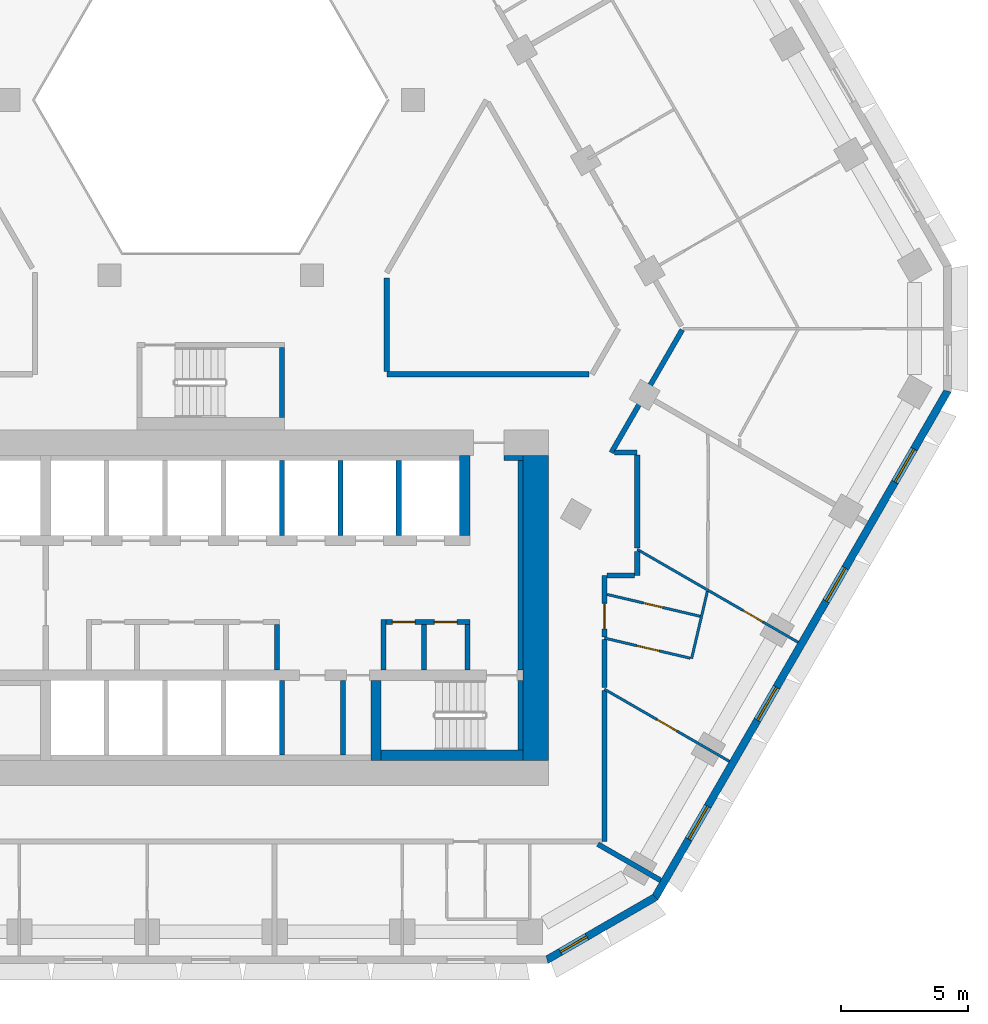
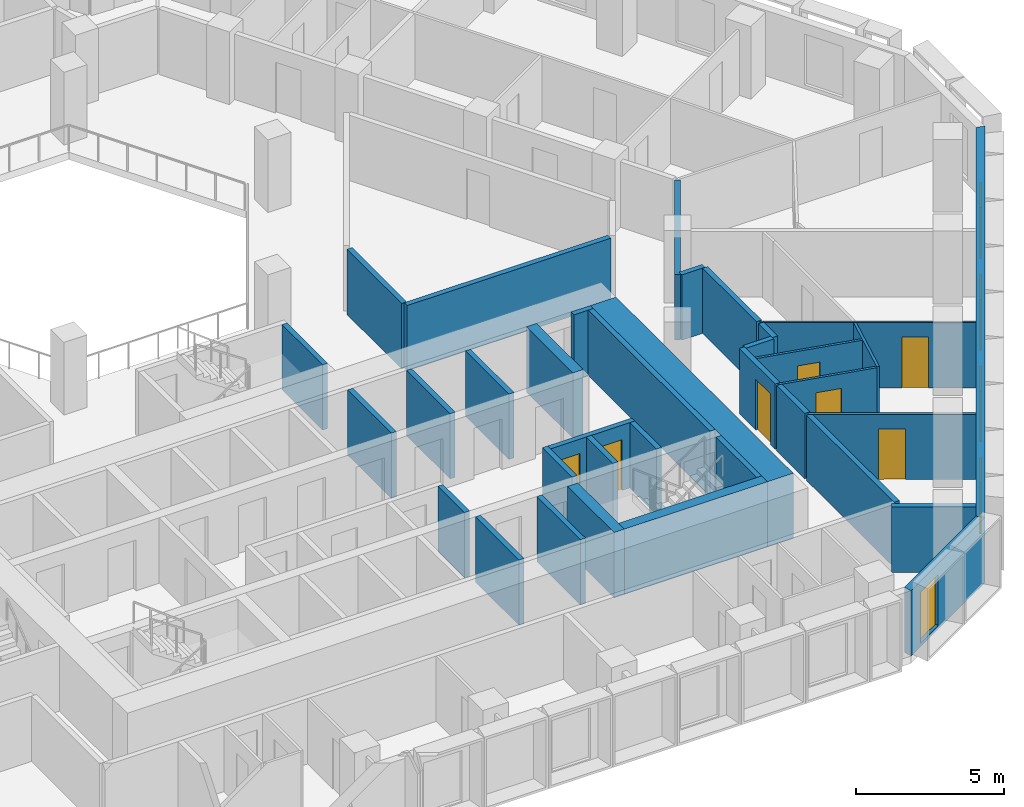
# One storey, part 6 of 16: 36 walls, 7 doors, 5 windows, 12 openings.
"""IFC4 building model written with IfcOpenShell, lengths in metres."""

from ifc_helpers import new_model, si_unit, direction, frame, frame_2d, origin, place, context, subcontext, project, spatial, polyline, rectangle, outline, extrude, material, layer, layer_set, type_object, element, fill, save


model = new_model("IFC4")

# Units and contexts
model_context = context("Model", 3, precision=1e-05, world=origin(), true_north=direction((0.0, 1.0)))
body_context = subcontext(model_context, "Body", "Model", "MODEL_VIEW")
ifc_project = project(units=[si_unit("LENGTHUNIT", "METRE"), si_unit("AREAUNIT", "SQUARE_METRE"), si_unit("VOLUMEUNIT", "CUBIC_METRE"), si_unit("PLANEANGLEUNIT", "RADIAN"), si_unit("MASSUNIT", "GRAM", prefix="KILO")], contexts=[model_context])

# Site, building, storey
site_placement = place(None, origin())
site = spatial("IfcSite", under=ifc_project, at=site_placement, CompositionType="ELEMENT")
building_placement = place(site_placement, origin())
building = spatial("IfcBuilding", under=site, at=building_placement, Name="Beryl Residences", CompositionType="ELEMENT")
storey_placement = place(building_placement, frame((0.0, 0.0, 96.0)))
storey = spatial("IfcBuildingStorey", under=building, at=storey_placement, Name="L29", CompositionType="ELEMENT", Elevation=96.0)

# Wall, opening, window
ifc_material_1 = material(Name="Composite metal panel with mineral wool insulation")
ifc_layer_1 = layer(ifc_material_1, 0.300048828125)
ifc_layer_set_1 = layer_set([ifc_layer_1], Name="ES1 pale metal composite panel wall 300 mm")
wall_type_1 = type_object("IfcWallType", Name="ES1 pale metal composite panel wall 300 mm", PredefinedType="SOLIDWALL", material=ifc_layer_set_1)
wall_1_placement = place(storey_placement, frame((13.2041015625, -25.8701171875, 0.0), z_axis=(0.0, 0.0, 1.0), x_axis=(0.866010750942, 0.50002537861, 0.0)))
wall_1 = element("IfcWall", 1, at=wall_1_placement, inside=storey, type_object=wall_type_1, Name="ES1 external wall L29 S-SE", PredefinedType="SOLIDWALL", context=body_context, shape_type="SweptSolid", body=[
    extrude(outline(polyline([(0.0, -0.14990234375), (4.999755859375, -0.14990234375), (4.91943359375, 0.14990234375), (0.080322265625, 0.14990234375), (0.0, -0.14990234375)])), origin(), (0.0, 0.0, 1.0), 2.699951171875),
])
opening_1_placement = place(wall_1_placement, frame((0.64990234375, 0.0, 0.14990234375)))
opening_1 = element("IfcOpeningElement", 2, at=opening_1_placement, cuts=wall_1, Name="Opening W2", PredefinedType="OPENING", context=body_context, shape_type="SweptSolid", body=[
    extrude(rectangle(XDim=1.199951171875, YDim=2.10009765625, at=frame_2d((0.60009765625, 1.050048828125))), frame((0.0, 0.159912109375, 0.0), z_axis=(0.0, -1.0, 0.0), x_axis=(1.0, 0.0, 0.0)), (0.0, 0.0, 1.0), 0.320068359375),
])
ifc_material_2 = material(Name="Aluminium and clear glass", Category="aluminium")
window_type_1 = type_object("IfcWindowType", Name="W2 chamfer window 1200 x 2100 mm", PartitioningType="SINGLE_PANEL", PredefinedType="WINDOW", material=ifc_material_2)
window_1_placement = place(opening_1_placement, origin())
window_1 = element("IfcWindow", 3, at=window_1_placement, inside=storey, type_object=window_type_1, Name="W2 window L29 S-SE 1", OverallHeight=2.10009765625, OverallWidth=1.199951171875, PartitioningType="SINGLE_PANEL", PredefinedType="WINDOW", context=body_context, shape_type="SweptSolid", body=[
    extrude(rectangle(XDim=1.199951171875, YDim=2.10009765625, at=frame_2d((0.60009765625, 1.050048828125))), frame((0.0, 0.030029296875, 0.0), z_axis=(0.0, -1.0, 0.0), x_axis=(1.0, 0.0, 0.0)), (0.0, 0.0, 1.0), 0.06005859375),
])
fill(opening_1, window_1)

# Wall, openings, windows
wall_2_placement = place(storey_placement, frame((17.47900390625, -23.425048828125, 0.0), z_axis=(0.0, 0.0, 1.0), x_axis=(0.500035407905, 0.866004960056, 0.0)))
wall_2 = element("IfcWall", 4, at=wall_2_placement, inside=storey, type_object=wall_type_1, Name="ES1 external wall L29 SE", PredefinedType="SOLIDWALL", context=body_context, shape_type="SweptSolid", body=[
    extrude(outline(polyline([(0.0, -0.14990234375), (23.094482421875, -0.14990234375), (23.01416015625, 0.14990234375), (0.080322265625, 0.14990234375), (0.0, -0.14990234375)])), origin(), (0.0, 0.0, 1.0), 2.699951171875),
])
opening_2_placement = place(wall_2_placement, frame((2.677001953125, 0.0, 0.14990234375)))
opening_2 = element("IfcOpeningElement", 5, at=opening_2_placement, cuts=wall_2, Name="Opening W1", PredefinedType="OPENING", context=body_context, shape_type="SweptSolid", body=[
    extrude(rectangle(XDim=1.5, YDim=2.10009765625, at=frame_2d((0.75, 1.050048828125))), frame((0.0, 0.159912109375, 0.0), z_axis=(0.0, -1.0, 0.0), x_axis=(1.0, 0.0, 0.0)), (0.0, 0.0, 1.0), 0.320068359375),
])
opening_3_placement = place(wall_2_placement, frame((8.091064453125, 0.0, 0.14990234375)))
opening_3 = element("IfcOpeningElement", 6, at=opening_3_placement, cuts=wall_2, Name="Opening W1", PredefinedType="OPENING", context=body_context, shape_type="SweptSolid", body=[
    extrude(rectangle(XDim=1.5, YDim=2.10009765625, at=frame_2d((0.75, 1.050048828125))), frame((0.0, 0.159912109375, 0.0), z_axis=(0.0, -1.0, 0.0), x_axis=(1.0, 0.0, 0.0)), (0.0, 0.0, 1.0), 0.320068359375),
])
opening_4_placement = place(wall_2_placement, frame((13.50390625, 0.0, 0.14990234375)))
opening_4 = element("IfcOpeningElement", 7, at=opening_4_placement, cuts=wall_2, Name="Opening W1", PredefinedType="OPENING", context=body_context, shape_type="SweptSolid", body=[
    extrude(rectangle(XDim=1.5, YDim=2.10009765625, at=frame_2d((0.75, 1.050048828125))), frame((0.0, 0.159912109375, 0.0), z_axis=(0.0, -1.0, 0.0), x_axis=(1.0, 0.0, 0.0)), (0.0, 0.0, 1.0), 0.320068359375),
])
opening_5_placement = place(wall_2_placement, frame((18.9169921875, 0.0, 0.14990234375)))
opening_5 = element("IfcOpeningElement", 8, at=opening_5_placement, cuts=wall_2, Name="Opening W1", PredefinedType="OPENING", context=body_context, shape_type="SweptSolid", body=[
    extrude(rectangle(XDim=1.5, YDim=2.10009765625, at=frame_2d((0.75, 1.050048828125))), frame((0.0, 0.159912109375, 0.0), z_axis=(0.0, -1.0, 0.0), x_axis=(1.0, 0.0, 0.0)), (0.0, 0.0, 1.0), 0.320068359375),
])
ifc_material_3 = material(Name="Aluminium and clear glass", Category="aluminium")
window_type_2 = type_object("IfcWindowType", Name="W1 cell window 1500 x 2100 mm", PartitioningType="SINGLE_PANEL", PredefinedType="WINDOW", material=ifc_material_3)
window_2_placement = place(opening_2_placement, origin())
window_2 = element("IfcWindow", 9, at=window_2_placement, inside=storey, type_object=window_type_2, Name="W1 window L29 SE 2", OverallHeight=2.10009765625, OverallWidth=1.5, PartitioningType="SINGLE_PANEL", PredefinedType="WINDOW", context=body_context, shape_type="SweptSolid", body=[
    extrude(rectangle(XDim=1.5, YDim=2.10009765625, at=frame_2d((0.75, 1.050048828125))), frame((0.0, 0.030029296875, 0.0), z_axis=(0.0, -1.0, 0.0), x_axis=(1.0, 0.0, 0.0)), (0.0, 0.0, 1.0), 0.06005859375),
])
fill(opening_2, window_2)
window_3_placement = place(opening_3_placement, origin())
window_3 = element("IfcWindow", 10, at=window_3_placement, inside=storey, type_object=window_type_2, Name="W1 window L29 SE 4", OverallHeight=2.10009765625, OverallWidth=1.5, PartitioningType="SINGLE_PANEL", PredefinedType="WINDOW", context=body_context, shape_type="SweptSolid", body=[
    extrude(rectangle(XDim=1.5, YDim=2.10009765625, at=frame_2d((0.75, 1.050048828125))), frame((0.0, 0.030029296875, 0.0), z_axis=(0.0, -1.0, 0.0), x_axis=(1.0, 0.0, 0.0)), (0.0, 0.0, 1.0), 0.06005859375),
])
fill(opening_3, window_3)
window_4_placement = place(opening_4_placement, origin())
window_4 = element("IfcWindow", 11, at=window_4_placement, inside=storey, type_object=window_type_2, Name="W1 window L29 SE 6", OverallHeight=2.10009765625, OverallWidth=1.5, PartitioningType="SINGLE_PANEL", PredefinedType="WINDOW", context=body_context, shape_type="SweptSolid", body=[
    extrude(rectangle(XDim=1.5, YDim=2.10009765625, at=frame_2d((0.75, 1.050048828125))), frame((0.0, 0.030029296875, 0.0), z_axis=(0.0, -1.0, 0.0), x_axis=(1.0, 0.0, 0.0)), (0.0, 0.0, 1.0), 0.06005859375),
])
fill(opening_4, window_4)
window_5_placement = place(opening_5_placement, origin())
window_5 = element("IfcWindow", 12, at=window_5_placement, inside=storey, type_object=window_type_2, Name="W1 window L29 SE 8", OverallHeight=2.10009765625, OverallWidth=1.5, PartitioningType="SINGLE_PANEL", PredefinedType="WINDOW", context=body_context, shape_type="SweptSolid", body=[
    extrude(rectangle(XDim=1.5, YDim=2.10009765625, at=frame_2d((0.75, 1.050048828125))), frame((0.0, 0.030029296875, 0.0), z_axis=(0.0, -1.0, 0.0), x_axis=(1.0, 0.0, 0.0)), (0.0, 0.0, 1.0), 0.06005859375),
])
fill(opening_5, window_5)

# Wall, opening, door
ifc_material_4 = material(Name="Gypsum board partition on steel studs", Category="steel")
ifc_layer_2 = layer(ifc_material_4, 0.10009765625)
ifc_layer_set_2 = layer_set([ifc_layer_2], Name="PT1 partition 100 mm gypsum board on steel studs")
wall_type_2 = type_object("IfcWallType", Name="PT1 partition 100 mm gypsum board on steel studs", PredefinedType="PARTITIONING", material=ifc_layer_set_2)
wall_3_placement = place(storey_placement, frame((15.60009765625, -11.468017578125, 0.0), z_axis=(0.0, 0.0, 1.0), x_axis=(0.973574036597, -0.228371616592, 0.0)))
wall_3 = element("IfcWall", 13, at=wall_3_placement, inside=storey, type_object=wall_type_2, Name="Wall PT1 L29 012", PredefinedType="PARTITIONING", context=body_context, shape_type="SweptSolid", body=[
    extrude(rectangle(XDim=3.7705078125, YDim=0.10009765625, at=frame_2d((1.88525390625, 0.0))), origin(), (0.0, 0.0, 1.0), 2.699951171875),
])
opening_6_placement = place(wall_3_placement, frame((1.458984375, 0.0, 0.0)))
opening_6 = element("IfcOpeningElement", 14, at=opening_6_placement, cuts=wall_3, Name="Opening D0911", PredefinedType="OPENING", context=body_context, shape_type="SweptSolid", body=[
    extrude(rectangle(XDim=0.800048828125, YDim=2.10009765625, at=frame_2d((0.39990234375, 1.050048828125))), frame((0.0, 0.06005859375, 0.0), z_axis=(0.0, -1.0, 0.0), x_axis=(1.0, 0.0, 0.0)), (0.0, 0.0, 1.0), 0.1201171875),
])
ifc_material_5 = material(Name="Timber door leaf", Category="wood")
door_type_1 = type_object("IfcDoorType", Name="D3 bathroom door 800 x 2100 mm", OperationType="SINGLE_SWING_LEFT", PredefinedType="DOOR", material=ifc_material_5)
door_1_placement = place(opening_6_placement, origin())
door_1 = element("IfcDoor", 15, at=door_1_placement, inside=storey, type_object=door_type_1, Name="Door D0911 L29 001", OperationType="SINGLE_SWING_LEFT", OverallHeight=2.10009765625, OverallWidth=0.800048828125, PredefinedType="DOOR", context=body_context, shape_type="SweptSolid", body=[
    extrude(rectangle(XDim=0.800048828125, YDim=2.10009765625, at=frame_2d((0.39990234375, 1.050048828125))), frame((0.0, 0.02490234375, 0.0), z_axis=(0.0, -1.0, 0.0), x_axis=(1.0, 0.0, 0.0)), (0.0, 0.0, 1.0), 0.050048828125),
])
fill(opening_6, door_1)

wall_4_placement = place(storey_placement, frame((15.5, -13.18701171875, 0.0), z_axis=(0.0, 0.0, 1.0), x_axis=(0.973612163993, -0.228209014119, 0.0)))
wall_4 = element("IfcWall", 16, at=wall_4_placement, inside=storey, type_object=wall_type_2, Name="Wall PT1 L29 013", PredefinedType="PARTITIONING", context=body_context, shape_type="SweptSolid", body=[
    extrude(rectangle(XDim=3.474853515625, YDim=0.10009765625, at=frame_2d((1.7373046875, 0.0))), origin(), (0.0, 0.0, 1.0), 2.699951171875),
])
opening_7_placement = place(wall_4_placement, frame((1.31298828125, 0.0, 0.0)))
opening_7 = element("IfcOpeningElement", 17, at=opening_7_placement, cuts=wall_4, Name="Opening D0912", PredefinedType="OPENING", context=body_context, shape_type="SweptSolid", body=[
    extrude(rectangle(XDim=0.89990234375, YDim=2.10009765625, at=frame_2d((0.449951171875, 1.050048828125))), frame((0.0, 0.06005859375, 0.0), z_axis=(0.0, -1.0, 0.0), x_axis=(1.0, 0.0, 0.0)), (0.0, 0.0, 1.0), 0.1201171875),
])
ifc_material_6 = material(Name="Timber door leaf", Category="wood")
door_type_2 = type_object("IfcDoorType", Name="D2 room door 900 x 2100 mm", OperationType="SINGLE_SWING_LEFT", PredefinedType="DOOR", material=ifc_material_6)
door_2_placement = place(opening_7_placement, origin())
door_2 = element("IfcDoor", 18, at=door_2_placement, inside=storey, type_object=door_type_2, Name="Door D0912 L29 001", OperationType="SINGLE_SWING_RIGHT", OverallHeight=2.10009765625, OverallWidth=0.89990234375, PredefinedType="DOOR", context=body_context, shape_type="SweptSolid", body=[
    extrude(rectangle(XDim=0.89990234375, YDim=2.10009765625, at=frame_2d((0.449951171875, 1.050048828125))), frame((0.0, 0.02490234375, 0.0), z_axis=(0.0, -1.0, 0.0), x_axis=(1.0, 0.0, 0.0)), (0.0, 0.0, 1.0), 0.050048828125),
])
fill(opening_7, door_2)

wall_5_placement = place(storey_placement, frame((15.5, -15.199951171875, 0.0), z_axis=(0.0, 0.0, 1.0), x_axis=(0.866035181374, -0.499983064336, 0.0)))
wall_5 = element("IfcWall", 19, at=wall_5_placement, inside=storey, type_object=wall_type_2, Name="Wall PT1 L29 017", PredefinedType="PARTITIONING", context=body_context, shape_type="SweptSolid", body=[
    extrude(rectangle(XDim=5.676513671875, YDim=0.10009765625, at=frame_2d((2.83837890625, 0.0))), origin(), (0.0, 0.0, 1.0), 2.699951171875),
])
opening_8_placement = place(wall_5_placement, frame((2.387939453125, 0.0, 0.0)))
opening_8 = element("IfcOpeningElement", 20, at=opening_8_placement, cuts=wall_5, Name="Opening D0913", PredefinedType="OPENING", context=body_context, shape_type="SweptSolid", body=[
    extrude(rectangle(XDim=0.89990234375, YDim=2.10009765625, at=frame_2d((0.449951171875, 1.050048828125))), frame((0.0, 0.06005859375, 0.0), z_axis=(0.0, -1.0, 0.0), x_axis=(1.0, 0.0, 0.0)), (0.0, 0.0, 1.0), 0.1201171875),
])
door_3_placement = place(opening_8_placement, origin())
door_3 = element("IfcDoor", 21, at=door_3_placement, inside=storey, type_object=door_type_2, Name="Door D0913 L29 001", OperationType="SINGLE_SWING_LEFT", OverallHeight=2.10009765625, OverallWidth=0.89990234375, PredefinedType="DOOR", context=body_context, shape_type="SweptSolid", body=[
    extrude(rectangle(XDim=0.89990234375, YDim=2.10009765625, at=frame_2d((0.449951171875, 1.050048828125))), frame((0.0, 0.02490234375, 0.0), z_axis=(0.0, -1.0, 0.0), x_axis=(1.0, 0.0, 0.0)), (0.0, 0.0, 1.0), 0.050048828125),
])
fill(opening_8, door_3)

wall_6_placement = place(storey_placement, frame((16.7919921875, -9.695068359375, 0.0), z_axis=(0.0, 0.0, 1.0), x_axis=(0.86603765469, -0.499978780208, 0.0)))
wall_6 = element("IfcWall", 22, at=wall_6_placement, inside=storey, type_object=wall_type_2, Name="Wall PT1 L29 020", PredefinedType="PARTITIONING", context=body_context, shape_type="SweptSolid", body=[
    extrude(rectangle(XDim=7.310302734375, YDim=0.10009765625, at=frame_2d((3.6552734375, 0.0))), origin(), (0.0, 0.0, 1.0), 2.699951171875),
])
opening_9_placement = place(wall_6_placement, frame((4.805908203125, 0.0, 0.0)))
opening_9 = element("IfcOpeningElement", 23, at=opening_9_placement, cuts=wall_6, Name="Opening D0914", PredefinedType="OPENING", context=body_context, shape_type="SweptSolid", body=[
    extrude(rectangle(XDim=0.89990234375, YDim=2.10009765625, at=frame_2d((0.449951171875, 1.050048828125))), frame((0.0, 0.06005859375, 0.0), z_axis=(0.0, -1.0, 0.0), x_axis=(1.0, 0.0, 0.0)), (0.0, 0.0, 1.0), 0.1201171875),
])
door_4_placement = place(opening_9_placement, origin())
door_4 = element("IfcDoor", 24, at=door_4_placement, inside=storey, type_object=door_type_2, Name="Door D0914 L29 001", OperationType="SINGLE_SWING_RIGHT", OverallHeight=2.10009765625, OverallWidth=0.89990234375, PredefinedType="DOOR", context=body_context, shape_type="SweptSolid", body=[
    extrude(rectangle(XDim=0.89990234375, YDim=2.10009765625, at=frame_2d((0.449951171875, 1.050048828125))), frame((0.0, 0.02490234375, 0.0), z_axis=(0.0, -1.0, 0.0), x_axis=(1.0, 0.0, 0.0)), (0.0, 0.0, 1.0), 0.050048828125),
])
fill(opening_9, door_4)

# Walls
wall_7_placement = place(storey_placement, frame((18.93310546875, -13.990966796875, 0.0), z_axis=(0.0, 0.0, 1.0), x_axis=(0.228172687949, 0.97362067792, 0.0)))
element("IfcWall", 25, at=wall_7_placement, inside=storey, type_object=wall_type_2, Name="Wall PT1 L29 042", PredefinedType="PARTITIONING", context=body_context, shape_type="SweptSolid", body=[
    extrude(rectangle(XDim=2.716796875, YDim=0.10009765625, at=frame_2d((1.3583984375, 0.0))), origin(), (0.0, 0.0, 1.0), 2.699951171875),
])
ifc_material_7 = material(Name="Concrete masonry", Category="masonry")
ifc_layer_3 = layer(ifc_material_7, 0.199951171875)
ifc_layer_set_3 = layer_set([ifc_layer_3], Name="PT13 lobby wall 200 mm")
wall_type_3 = type_object("IfcWallType", Name="PT13 lobby wall 200 mm", PredefinedType="PARTITIONING", material=ifc_layer_set_3)
wall_8_placement = place(storey_placement, frame((2.60009765625, -14.449951171875, 0.0), z_axis=(0.0, 0.0, 1.0), x_axis=(0.0, 1.0, 0.0)))
element("IfcWall", 26, at=wall_8_placement, inside=storey, type_object=wall_type_3, Name="Lobby wall 24", PredefinedType="PARTITIONING", context=body_context, shape_type="SweptSolid", body=[
    extrude(rectangle(XDim=1.800048828125, YDim=0.199951171875, at=frame_2d((0.89990234375, 0.0))), origin(), (0.0, 0.0, 1.0), 2.699951171875),
])
wall_9_placement = place(storey_placement, frame((6.800048828125, -14.449951171875, 0.0), z_axis=(0.0, 0.0, 1.0), x_axis=(0.0, 1.0, 0.0)))
element("IfcWall", 27, at=wall_9_placement, inside=storey, type_object=wall_type_3, Name="Lobby wall 30", PredefinedType="PARTITIONING", context=body_context, shape_type="SweptSolid", body=[
    extrude(rectangle(XDim=2.0, YDim=0.199951171875, at=frame_2d((1.0, 0.0))), origin(), (0.0, 0.0, 1.0), 2.699951171875),
])

# Wall, openings, doors
wall_10_placement = place(storey_placement, frame((6.89990234375, -12.550048828125, 0.0), z_axis=(0.0, 0.0, 1.0), x_axis=(1.0, 0.0, 0.0)))
wall_10 = element("IfcWall", 28, at=wall_10_placement, inside=storey, type_object=wall_type_3, Name="Lobby wall 31", PredefinedType="PARTITIONING", context=body_context, shape_type="SweptSolid", body=[
    extrude(rectangle(XDim=3.300048828125, YDim=0.199951171875, at=frame_2d((1.64990234375, 0.0))), origin(), (0.0, 0.0, 1.0), 2.699951171875),
])
opening_10_placement = place(wall_10_placement, frame((1.14990234375, 0.0, 0.0), z_axis=(0.0, 0.0, 1.0), x_axis=(-1.0, 0.0, 0.0)))
opening_10 = element("IfcOpeningElement", 29, at=opening_10_placement, cuts=wall_10, Name="Opening CD-D-A4-900", PredefinedType="OPENING", context=body_context, shape_type="SweptSolid", body=[
    extrude(rectangle(XDim=0.89990234375, YDim=2.10009765625, at=frame_2d((0.449951171875, 1.050048828125))), frame((0.0, 0.10986328125, 0.0), z_axis=(0.0, -1.0, 0.0), x_axis=(1.0, 0.0, 0.0)), (0.0, 0.0, 1.0), 0.219970703125),
])
opening_11_placement = place(wall_10_placement, frame((2.7998046875, 0.0, 0.0), z_axis=(0.0, 0.0, 1.0), x_axis=(-1.0, 0.0, 0.0)))
opening_11 = element("IfcOpeningElement", 30, at=opening_11_placement, cuts=wall_10, Name="Opening CD-D-A5-900", PredefinedType="OPENING", context=body_context, shape_type="SweptSolid", body=[
    extrude(rectangle(XDim=0.89990234375, YDim=2.10009765625, at=frame_2d((0.449951171875, 1.050048828125))), frame((0.0, 0.10986328125, 0.0), z_axis=(0.0, -1.0, 0.0), x_axis=(1.0, 0.0, 0.0)), (0.0, 0.0, 1.0), 0.219970703125),
])
ifc_material_8 = material(Name="Steel door leaf in steel frame", Category="steel")
door_type_3 = type_object("IfcDoorType", Name="D6 service room door 900 x 2100 mm", OperationType="SINGLE_SWING_LEFT", PredefinedType="DOOR", material=ifc_material_8)
door_5_placement = place(opening_10_placement, origin())
door_5 = element("IfcDoor", 31, at=door_5_placement, inside=storey, type_object=door_type_3, Name="Door CD-D-A4-900 L29 001", OperationType="SINGLE_SWING_LEFT", OverallHeight=2.10009765625, OverallWidth=0.89990234375, PredefinedType="DOOR", context=body_context, shape_type="SweptSolid", body=[
    extrude(rectangle(XDim=0.89990234375, YDim=2.10009765625, at=frame_2d((0.449951171875, 1.050048828125))), frame((0.0, 0.02490234375, 0.0), z_axis=(0.0, -1.0, 0.0), x_axis=(1.0, 0.0, 0.0)), (0.0, 0.0, 1.0), 0.050048828125),
])
fill(opening_10, door_5)
door_6_placement = place(opening_11_placement, origin())
door_6 = element("IfcDoor", 32, at=door_6_placement, inside=storey, type_object=door_type_3, Name="Door CD-D-A5-900 L29 001", OperationType="SINGLE_SWING_RIGHT", OverallHeight=2.10009765625, OverallWidth=0.89990234375, PredefinedType="DOOR", context=body_context, shape_type="SweptSolid", body=[
    extrude(rectangle(XDim=0.89990234375, YDim=2.10009765625, at=frame_2d((0.449951171875, 1.050048828125))), frame((0.0, 0.02490234375, 0.0), z_axis=(0.0, -1.0, 0.0), x_axis=(1.0, 0.0, 0.0)), (0.0, 0.0, 1.0), 0.050048828125),
])
fill(opening_11, door_6)

# Walls
wall_11_placement = place(storey_placement, frame((10.10009765625, -14.449951171875, 0.0), z_axis=(0.0, 0.0, 1.0), x_axis=(0.0, 1.0, 0.0)))
element("IfcWall", 33, at=wall_11_placement, inside=storey, type_object=wall_type_3, Name="Lobby wall 34", PredefinedType="PARTITIONING", context=body_context, shape_type="SweptSolid", body=[
    extrude(rectangle(XDim=1.800048828125, YDim=0.199951171875, at=frame_2d((0.89990234375, 0.0))), origin(), (0.0, 0.0, 1.0), 2.699951171875),
])
wall_12_placement = place(storey_placement, frame((11.550048828125, -6.10009765625, 0.0), z_axis=(0.0, 0.0, 1.0), x_axis=(1.0, 0.0, 0.0)))
element("IfcWall", 34, at=wall_12_placement, inside=storey, type_object=wall_type_3, Name="Lobby wall 35", PredefinedType="PARTITIONING", context=body_context, shape_type="SweptSolid", body=[
    extrude(rectangle(XDim=0.75, YDim=0.199951171875, at=frame_2d((0.375, 0.0))), origin(), (0.0, 0.0, 1.0), 2.699951171875),
])
wall_13_placement = place(storey_placement, frame((12.199951171875, -14.449951171875, 0.0), z_axis=(0.0, 0.0, 1.0), x_axis=(0.0, 1.0, 0.0)))
element("IfcWall", 35, at=wall_13_placement, inside=storey, type_object=wall_type_3, Name="Lobby wall 37", PredefinedType="PARTITIONING", context=body_context, shape_type="SweptSolid", body=[
    extrude(rectangle(XDim=8.25, YDim=0.199951171875, at=frame_2d((4.125, 0.0))), origin(), (0.0, 0.0, 1.0), 2.699951171875),
])
ifc_material_9 = material(Name="Acoustic double stud gypsum board wall")
ifc_layer_4 = layer(ifc_material_9, 0.199951171875)
ifc_layer_set_4 = layer_set([ifc_layer_4], Name="PT3 party wall 200 mm acoustic double stud")
wall_type_4 = type_object("IfcWallType", Name="PT3 party wall 200 mm acoustic double stud", PredefinedType="PARTITIONING", material=ifc_layer_set_4)
wall_14_placement = place(storey_placement, frame((15.239990234375, -21.300048828125, 0.0), z_axis=(0.0, 0.0, 1.0), x_axis=(0.866090043625, -0.499888023795, 0.0)))
element("IfcWall", 36, at=wall_14_placement, inside=storey, type_object=wall_type_4, Name="Wall PT3 L29 003", PredefinedType="PARTITIONING", context=body_context, shape_type="SweptSolid", body=[
    extrude(rectangle(XDim=2.850830078125, YDim=0.199951171875, at=frame_2d((1.42529296875, 0.0))), origin(), (0.0, 0.0, 1.0), 2.699951171875),
])
ifc_material_10 = material(Name="Double stud gypsum board wall")
ifc_layer_5 = layer(ifc_material_10, 0.199951171875)
ifc_layer_set_5 = layer_set([ifc_layer_5], Name="PT4 corridor wall 200 mm double stud")
wall_type_5 = type_object("IfcWallType", Name="PT4 corridor wall 200 mm double stud", PredefinedType="PARTITIONING", material=ifc_layer_set_5)
wall_15_placement = place(storey_placement, frame((6.927978515625, 1.0, 0.0), z_axis=(0.0, 0.0, 1.0), x_axis=(0.0, -1.0, 0.0)))
element("IfcWall", 37, at=wall_15_placement, inside=storey, type_object=wall_type_5, Name="Wall PT4 L29 009", PredefinedType="PARTITIONING", context=body_context, shape_type="SweptSolid", body=[
    extrude(rectangle(XDim=3.698974609375, YDim=0.199951171875, at=frame_2d((1.849609375, 0.0))), origin(), (0.0, 0.0, 1.0), 2.699951171875),
])
wall_16_placement = place(storey_placement, frame((15.5, -13.239013671875, 0.0), z_axis=(0.0, 0.0, 1.0), x_axis=(0.0, -1.0, 0.0)))
element("IfcWall", 38, at=wall_16_placement, inside=storey, type_object=wall_type_5, Name="Wall PT4 L29 010", PredefinedType="PARTITIONING", context=body_context, shape_type="SweptSolid", body=[
    extrude(rectangle(XDim=1.903076171875, YDim=0.199951171875, at=frame_2d((0.95166015625, 0.0))), origin(), (0.0, 0.0, 1.0), 2.699951171875),
])
wall_17_placement = place(storey_placement, frame((16.791015625, -5.986083984375, 0.0), z_axis=(0.0, 0.0, 1.0), x_axis=(0.0, -1.0, 0.0)))
element("IfcWall", 39, at=wall_17_placement, inside=storey, type_object=wall_type_5, Name="Wall PT4 L29 011", PredefinedType="PARTITIONING", context=body_context, shape_type="SweptSolid", body=[
    extrude(rectangle(XDim=3.64990234375, YDim=0.199951171875, at=frame_2d((1.824951171875, 0.0))), origin(), (0.0, 0.0, 1.0), 2.699951171875),
])
wall_18_placement = place(storey_placement, frame((15.886962890625, -5.885009765625, 0.0), z_axis=(0.0, 0.0, 1.0), x_axis=(1.0, 0.0, 0.0)))
element("IfcWall", 40, at=wall_18_placement, inside=storey, type_object=wall_type_5, Name="Wall PT4 L29 012", PredefinedType="PARTITIONING", context=body_context, shape_type="SweptSolid", body=[
    extrude(rectangle(XDim=0.903076171875, YDim=0.199951171875, at=frame_2d((0.45166015625, 0.0))), origin(), (0.0, 0.0, 1.0), 2.699951171875),
])
wall_19_placement = place(storey_placement, frame((15.60107421875, -10.715087890625, 0.0), z_axis=(0.0, 0.0, 1.0), x_axis=(1.0, 0.0, 0.0)))
element("IfcWall", 41, at=wall_19_placement, inside=storey, type_object=wall_type_5, Name="Wall PT4 L29 014", PredefinedType="PARTITIONING", context=body_context, shape_type="SweptSolid", body=[
    extrude(rectangle(XDim=1.08984375, YDim=0.199951171875, at=frame_2d((0.544921875, 0.0))), origin(), (0.0, 0.0, 1.0), 2.699951171875),
])
wall_20_placement = place(storey_placement, frame((6.928955078125, -2.800048828125, 0.0), z_axis=(0.0, 0.0, 1.0), x_axis=(1.0, 0.0, 0.0)))
element("IfcWall", 42, at=wall_20_placement, inside=storey, type_object=wall_type_5, Name="Wall PT4 L29 018", PredefinedType="PARTITIONING", context=body_context, shape_type="SweptSolid", body=[
    extrude(rectangle(XDim=7.966064453125, YDim=0.199951171875, at=frame_2d((3.98291015625, 0.0))), origin(), (0.0, 0.0, 1.0), 2.699951171875),
])
wall_21_placement = place(storey_placement, frame((15.77099609375, -5.884033203125, 0.0), z_axis=(0.0, 0.0, 1.0), x_axis=(0.499939494019, 0.866060334111, 0.0)))
element("IfcWall", 43, at=wall_21_placement, inside=storey, type_object=wall_type_5, Name="Wall PT4 L29 025", PredefinedType="PARTITIONING", context=body_context, shape_type="SweptSolid", body=[
    extrude(rectangle(XDim=5.582763671875, YDim=0.199951171875, at=frame_2d((2.79150390625, 0.0))), origin(), (0.0, 0.0, 1.0), 2.699951171875),
])
wall_22_placement = place(storey_placement, frame((15.5, -21.198974609375, 0.0), z_axis=(0.0, 0.0, 1.0), x_axis=(0.0, 1.0, 0.0)))
element("IfcWall", 44, at=wall_22_placement, inside=storey, type_object=wall_type_5, Name="Wall PT4 L29 029", PredefinedType="PARTITIONING", context=body_context, shape_type="SweptSolid", body=[
    extrude(rectangle(XDim=5.94189453125, YDim=0.199951171875, at=frame_2d((2.970947265625, 0.0))), origin(), (0.0, 0.0, 1.0), 2.699951171875),
])

# Wall, opening, door
wall_23_placement = place(storey_placement, frame((15.5, -13.135986328125, 0.0), z_axis=(0.0, 0.0, 1.0), x_axis=(0.0, 1.0, 0.0)))
wall_23 = element("IfcWall", 45, at=wall_23_placement, inside=storey, type_object=wall_type_5, Name="Wall PT4 L29 030", PredefinedType="PARTITIONING", context=body_context, shape_type="SweptSolid", body=[
    extrude(rectangle(XDim=2.419921875, YDim=0.199951171875, at=frame_2d((1.2099609375, 0.0))), origin(), (0.0, 0.0, 1.0), 2.699951171875),
])
opening_12_placement = place(wall_23_placement, frame((0.31298828125, 0.0, 0.0)))
opening_12 = element("IfcOpeningElement", 46, at=opening_12_placement, cuts=wall_23, Name="Opening D0910", PredefinedType="OPENING", context=body_context, shape_type="SweptSolid", body=[
    extrude(rectangle(XDim=1.0, YDim=2.10009765625, at=frame_2d((0.5, 1.050048828125))), frame((0.0, 0.10986328125, 0.0), z_axis=(0.0, -1.0, 0.0), x_axis=(1.0, 0.0, 0.0)), (0.0, 0.0, 1.0), 0.219970703125),
])
ifc_material_11 = material(Name="Timber door leaf", Category="wood")
door_type_4 = type_object("IfcDoorType", Name="D1 flat entrance door 1000 x 2100 mm", OperationType="SINGLE_SWING_LEFT", PredefinedType="DOOR", material=ifc_material_11)
door_7_placement = place(opening_12_placement, origin())
door_7 = element("IfcDoor", 47, at=door_7_placement, inside=storey, type_object=door_type_4, Name="Door D0910 L29 001", OperationType="SINGLE_SWING_RIGHT", OverallHeight=2.10009765625, OverallWidth=1.0, PredefinedType="DOOR", context=body_context, shape_type="SweptSolid", body=[
    extrude(rectangle(XDim=1.0, YDim=2.10009765625, at=frame_2d((0.5, 1.050048828125))), frame((0.0, 0.02490234375, 0.0), z_axis=(0.0, -1.0, 0.0), x_axis=(1.0, 0.0, 0.0)), (0.0, 0.0, 1.0), 0.050048828125),
])
fill(opening_12, door_7)

# Walls
wall_24_placement = place(storey_placement, frame((16.791015625, -10.715087890625, 0.0), z_axis=(0.0, 0.0, 1.0), x_axis=(0.0, 1.0, 0.0)))
element("IfcWall", 48, at=wall_24_placement, inside=storey, type_object=wall_type_5, Name="Wall PT4 L29 031", PredefinedType="PARTITIONING", context=body_context, shape_type="SweptSolid", body=[
    extrude(rectangle(XDim=0.943115234375, YDim=0.199951171875, at=frame_2d((0.4716796875, 0.0))), origin(), (0.0, 0.0, 1.0), 2.699951171875),
])
ifc_material_12 = material(Name="Concrete C40/50", Category="concrete")
ifc_layer_6 = layer(ifc_material_12, 0.199951171875)
ifc_layer_set_6 = layer_set([ifc_layer_6], Name="PT5 stair enclosure wall 200 mm reinforced concrete C40/50")
wall_type_6 = type_object("IfcWallType", Name="PT5 stair enclosure wall 200 mm reinforced concrete C40/50", PredefinedType="SOLIDWALL", material=ifc_layer_set_6)
for number, where, z_axis, x_axis, name in (
    (49, (2.800048828125, -4.5, 0.0), (0.0, 0.0, 1.0), (0.0, 1.0, 0.0), "Wall PT5 L29 003"),
    (50, (12.199951171875, -17.60009765625, 0.0), (0.0, 0.0, 1.0), (0.0, 1.0, 0.0), "Stair wall 36"),
):
    element("IfcWall", number, at=place(storey_placement, frame(where, z_axis=z_axis, x_axis=x_axis)), inside=storey, type_object=wall_type_6, Name=name, PredefinedType="SOLIDWALL", context=body_context, shape_type="SweptSolid", body=[
        extrude(rectangle(XDim=2.75, YDim=0.199951171875, at=frame_2d((1.375, 0.0))), origin(), (0.0, 0.0, 1.0), 2.699951171875),
    ])
ifc_material_13 = material(Name="Concrete C40/50", Category="concrete")
ifc_layer_7 = layer(ifc_material_13, 0.39990234375)
ifc_layer_set_7 = layer_set([ifc_layer_7], Name="PT5-400 stair enclosure wall 400 mm")
wall_type_7 = type_object("IfcWallType", Name="PT5-400 stair enclosure wall 400 mm", PredefinedType="SOLIDWALL", material=ifc_layer_set_7)
wall_25_placement = place(storey_placement, frame((6.699951171875, -17.800048828125, 0.0), z_axis=(0.0, 0.0, 1.0), x_axis=(1.0, 0.0, 0.0)))
element("IfcWall", 51, at=wall_25_placement, inside=storey, type_object=wall_type_7, Name="Stair wall 29", PredefinedType="SOLIDWALL", context=body_context, shape_type="SweptSolid", body=[
    extrude(rectangle(XDim=5.60009765625, YDim=0.39990234375, at=frame_2d((2.800048828125, 0.0))), origin(), (0.0, 0.0, 1.0), 2.699951171875),
])
ifc_material_14 = material(Name="Concrete C40/50", Category="concrete")
ifc_layer_8 = layer(ifc_material_14, 0.199951171875)
ifc_layer_set_8 = layer_set([ifc_layer_8], Name="PT6 lift shaft wall 200 mm reinforced concrete C40/50")
wall_type_8 = type_object("IfcWallType", Name="PT6 lift shaft wall 200 mm reinforced concrete C40/50", PredefinedType="SOLIDWALL", material=ifc_layer_set_8)
for number, where, z_axis, x_axis, name in (
    (52, (2.800048828125, -17.800048828125, 0.0), (0.0, 0.0, 1.0), (0.0, 1.0, 0.0), "Lift shaft wall 25"),
    (53, (2.800048828125, -9.14990234375, 0.0), (0.0, 0.0, 1.0), (0.0, 1.0, 0.0), "Lift shaft wall 26"),
    (54, (5.10009765625, -9.14990234375, 0.0), (0.0, 0.0, 1.0), (0.0, 1.0, 0.0), "Lift shaft wall 27"),
    (55, (7.39990234375, -9.14990234375, 0.0), (0.0, 0.0, 1.0), (0.0, 1.0, 0.0), "Lift shaft wall 32"),
):
    element("IfcWall", number, at=place(storey_placement, frame(where, z_axis=z_axis, x_axis=x_axis)), inside=storey, type_object=wall_type_8, Name=name, PredefinedType="SOLIDWALL", context=body_context, shape_type="SweptSolid", body=[
        extrude(rectangle(XDim=2.949951171875, YDim=0.199951171875, at=frame_2d((1.47509765625, 0.0))), origin(), (0.0, 0.0, 1.0), 2.699951171875),
    ])
ifc_material_15 = material(Name="Concrete masonry", Category="masonry")
ifc_layer_9 = layer(ifc_material_15, 0.199951171875)
ifc_layer_set_9 = layer_set([ifc_layer_9], Name="PT7-200 riser wall 200 mm")
wall_type_9 = type_object("IfcWallType", Name="PT7-200 riser wall 200 mm", PredefinedType="PARTITIONING", material=ifc_layer_set_9)
wall_26_placement = place(storey_placement, frame((5.199951171875, -17.800048828125, 0.0), z_axis=(0.0, 0.0, 1.0), x_axis=(0.0, 1.0, 0.0)))
element("IfcWall", 56, at=wall_26_placement, inside=storey, type_object=wall_type_9, Name="Riser wall 28", PredefinedType="PARTITIONING", context=body_context, shape_type="SweptSolid", body=[
    extrude(rectangle(XDim=2.949951171875, YDim=0.199951171875, at=frame_2d((1.47509765625, 0.0))), origin(), (0.0, 0.0, 1.0), 2.699951171875),
])
ifc_material_16 = material(Name="Concrete masonry", Category="masonry")
ifc_layer_10 = layer(ifc_material_16, 0.199951171875)
ifc_layer_set_10 = layer_set([ifc_layer_10], Name="PT8-200 service room wall 200 mm")
wall_type_10 = type_object("IfcWallType", Name="PT8-200 service room wall 200 mm", PredefinedType="PARTITIONING", material=ifc_layer_set_10)
wall_27_placement = place(storey_placement, frame((8.39990234375, -14.449951171875, 0.0), z_axis=(0.0, 0.0, 1.0), x_axis=(0.0, 1.0, 0.0)))
element("IfcWall", 57, at=wall_27_placement, inside=storey, type_object=wall_type_10, Name="Core room wall 33", PredefinedType="PARTITIONING", context=body_context, shape_type="SweptSolid", body=[
    extrude(rectangle(XDim=1.800048828125, YDim=0.199951171875, at=frame_2d((0.89990234375, 0.0))), origin(), (0.0, 0.0, 1.0), 2.699951171875),
])
ifc_material_17 = material(Name="Concrete C70/85", Category="concrete")
ifc_layer_11 = layer(ifc_material_17, 1.0)
ifc_layer_set_11 = layer_set([ifc_layer_11], Name="SW2 core outer wall 1000 mm C70/85")
wall_type_11 = type_object("IfcWallType", Name="SW2 core outer wall 1000 mm C70/85", PredefinedType="SHEAR", material=ifc_layer_set_11)
wall_28_placement = place(storey_placement, frame((12.800048828125, -18.0, 0.0), z_axis=(0.0, 0.0, 1.0), x_axis=(0.0, 1.0, 0.0)))
element("IfcWall", 58, at=wall_28_placement, inside=storey, type_object=wall_type_11, Name="Core wall E L29", PredefinedType="SHEAR", context=body_context, shape_type="SweptSolid", body=[
    extrude(rectangle(XDim=12.0, YDim=1.0, at=frame_2d((6.0, 0.0))), origin(), (0.0, 0.0, 1.0), 2.699951171875),
])
ifc_material_18 = material(Name="Concrete C70/85", Category="concrete")
ifc_layer_12 = layer(ifc_material_18, 0.39990234375)
ifc_layer_set_12 = layer_set([ifc_layer_12], Name="SW7 core internal wall 400 mm C70/85")
wall_type_12 = type_object("IfcWallType", Name="SW7 core internal wall 400 mm C70/85", PredefinedType="SHEAR", material=ifc_layer_set_12)
for number, where, z_axis, x_axis, name in (
    (59, (6.5, -18.0, 0.0), (0.0, 0.0, 1.0), (0.0, 1.0, 0.0), "Core wall XS2 L29"),
    (60, (10.0, -9.14990234375, 0.0), (0.0, 0.0, 1.0), (0.0, 1.0, 0.0), "Core wall XN2 L29"),
):
    element("IfcWall", number, at=place(storey_placement, frame(where, z_axis=z_axis, x_axis=x_axis)), inside=storey, type_object=wall_type_12, Name=name, PredefinedType="SHEAR", context=body_context, shape_type="SweptSolid", body=[
        extrude(rectangle(XDim=3.14990234375, YDim=0.39990234375, at=frame_2d((1.574951171875, 0.0))), origin(), (0.0, 0.0, 1.0), 2.699951171875),
    ])

save(model, "model.ifc")
